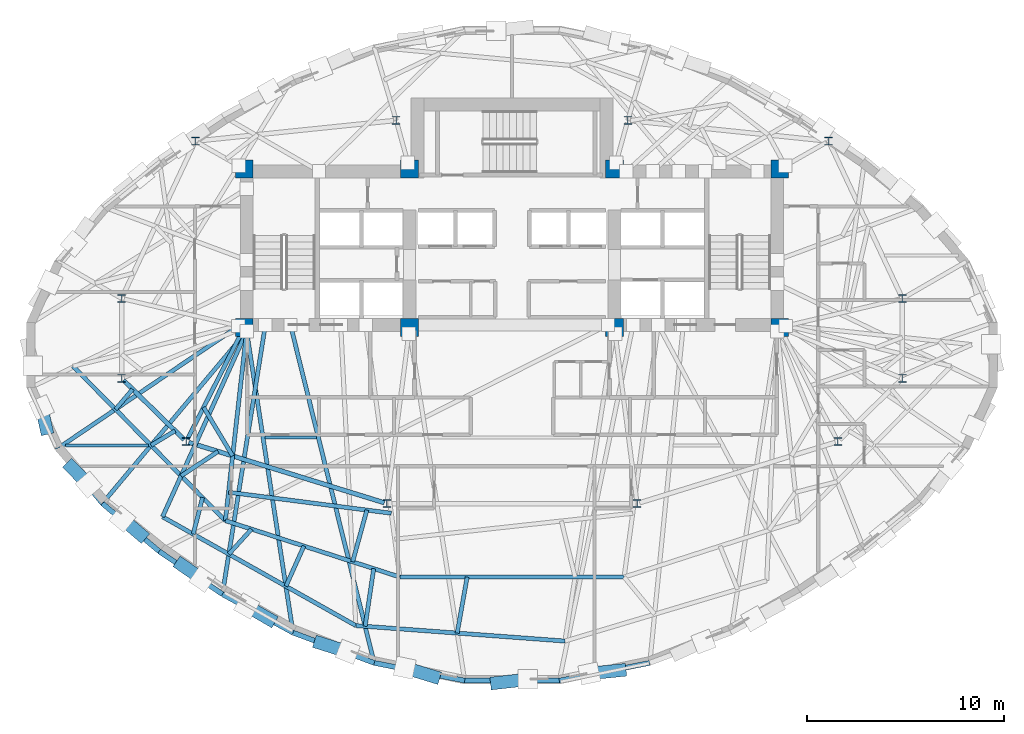
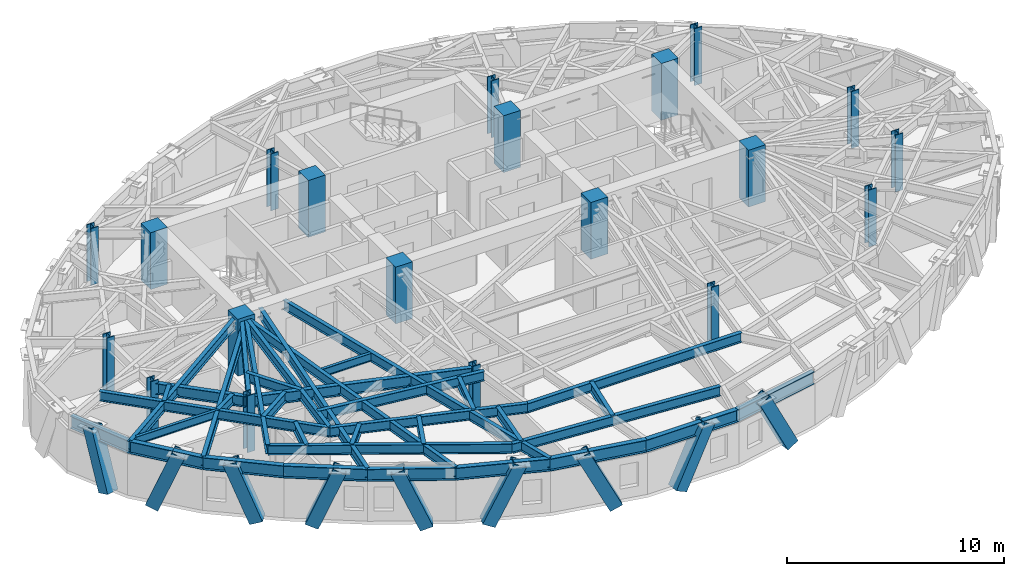
# One storey, part 1 of 14: 37 beams, 20 columns, 9 members.
"""IFC4 building model written with IfcOpenShell, lengths in metres."""

from ifc_helpers import new_model, si_unit, direction, frame, origin, origin_2d, place, context, subcontext, project, spatial, rectangle, hollow_rectangle, i_section, extrude, material, material_profile, profile_set, type_object, element, save


model = new_model("IFC4")

# Units and contexts
model_context = context("Model", 3, precision=1e-05, world=origin(), true_north=direction((0.0, 1.0)))
body_context = subcontext(model_context, "Body", "Model", "MODEL_VIEW")
ifc_project = project(units=[si_unit("LENGTHUNIT", "METRE"), si_unit("AREAUNIT", "SQUARE_METRE"), si_unit("VOLUMEUNIT", "CUBIC_METRE"), si_unit("PLANEANGLEUNIT", "RADIAN"), si_unit("MASSUNIT", "GRAM", prefix="KILO")], contexts=[model_context])

# Site, building, storey
site_placement = place(None, origin())
site = spatial("IfcSite", under=ifc_project, at=site_placement, CompositionType="ELEMENT")
building_placement = place(site_placement, origin())
building = spatial("IfcBuilding", under=site, at=building_placement, Name="Keldmark Tower", CompositionType="ELEMENT")
storey_placement = place(building_placement, frame((0.0, 0.0, 188.60009765625)))
storey = spatial("IfcBuildingStorey", under=building, at=storey_placement, Name="L52", CompositionType="ELEMENT", Elevation=188.60009765625)

# Columns
ifc_material_1 = material(Name="Concrete C50/60", Category="concrete")
ifc_material_profile_1 = material_profile(ifc_material_1, rectangle(XDim=0.89990234375, YDim=0.89990234375, at=origin_2d()), Name="RC900X900")
ifc_profile_set_1 = profile_set([ifc_material_profile_1], Name="Concrete C50/60")
column_type_1 = type_object("IfcColumnType", Name="Core Boundary Column RC900", PredefinedType="COLUMN", material=ifc_profile_set_1)
for number, where, z_axis, x_axis, name in (
    (1, (-13.60009765625, 1.39990234375, 0.0), (0.0, 0.0, 1.0), (1.0, 0.0, 0.0), "L52 Core Boundary Column CC-W1"),
    (2, (-13.60009765625, 9.449951171875, 0.0), (0.0, 0.0, 1.0), (1.0, 0.0, 0.0), "L52 Core Boundary Column CC-W2"),
    (3, (-5.199951171875, 1.39990234375, 0.0), (0.0, 0.0, 1.0), (1.0, 0.0, 0.0), "L52 Core Boundary Column CC-W3"),
    (4, (-5.199951171875, 9.449951171875, 0.0), (0.0, 0.0, 1.0), (1.0, 0.0, 0.0), "L52 Core Boundary Column CC-W4"),
    (5, (5.199951171875, 1.39990234375, 0.0), (0.0, 0.0, 1.0), (1.0, 0.0, 0.0), "L52 Core Boundary Column CC-E1"),
    (6, (5.199951171875, 9.449951171875, 0.0), (0.0, 0.0, 1.0), (1.0, 0.0, 0.0), "L52 Core Boundary Column CC-E2"),
    (7, (13.60009765625, 1.39990234375, 0.0), (0.0, 0.0, 1.0), (1.0, 0.0, 0.0), "L52 Core Boundary Column CC-E3"),
    (8, (13.60009765625, 9.449951171875, 0.0), (0.0, 0.0, 1.0), (1.0, 0.0, 0.0), "L52 Core Boundary Column CC-E4"),
):
    element("IfcColumn", number, at=place(storey_placement, frame(where, z_axis=z_axis, x_axis=x_axis)), inside=storey, type_object=column_type_1, Name=name, PredefinedType="COLUMN", context=body_context, shape_type="SweptSolid", body=[
        extrude(rectangle(XDim=0.89990234375, YDim=0.89990234375, at=origin_2d()), origin(), (0.0, 0.0, 1.0), 3.199951171875),
    ])
ifc_material_2 = material(Name="Steel ASTM A992 Grade 50", Category="steel")
ifc_material_profile_2 = material_profile(ifc_material_2, i_section(OverallWidth=0.404052734375, OverallDepth=0.406982421875, WebThickness=0.027099609375, FlangeThickness=0.043701171875, at=origin_2d()), Name="W14X233")
ifc_profile_set_2 = profile_set([ifc_material_profile_2], Name="Steel ASTM A992 Grade 50")
column_type_2 = type_object("IfcColumnType", Name="Tower Gravity Column W14X233", PredefinedType="COLUMN", material=ifc_profile_set_2)
for number, where, z_axis, x_axis, name in (
    (9, (19.828369140625, 2.869140625, 0.0), (0.0, 0.0, 1.0), (1.0, 0.0, 0.0), "L52 Tower Gravity Column TC-E1"),
    (10, (16.08154296875, 10.861083984375, 0.0), (0.0, 0.0, 1.0), (1.0, 0.0, 0.0), "L52 Tower Gravity Column TC-E4"),
    (11, (5.880126953125, 11.915283203125, 0.0), (0.0, 0.0, 1.0), (1.0, 0.0, 0.0), "L52 Tower Gravity Column TC-N2"),
    (12, (-5.880126953125, 11.915283203125, 0.0), (0.0, 0.0, 1.0), (1.0, 0.0, 0.0), "L52 Tower Gravity Column TC-N1"),
    (13, (-16.08154296875, 10.861083984375, 0.0), (0.0, 0.0, 1.0), (1.0, 0.0, 0.0), "L52 Tower Gravity Column TC-W4"),
    (14, (-19.828369140625, 2.869140625, 0.0), (0.0, 0.0, 1.0), (1.0, 0.0, 0.0), "L52 Tower Gravity Column TC-W1"),
    (15, (-19.828369140625, -1.189208984375, 0.0), (0.0, 0.0, 1.0), (1.0, 0.0, 0.0), "L52 Tower Gravity Column TC-W5"),
    (16, (-16.546630859375, -4.3984375, 0.0), (0.0, 0.0, 1.0), (1.0, 0.0, 0.0), "L52 Tower Gravity Column TC-W2"),
    (17, (-6.351318359375, -7.546142578125, 0.0), (0.0, 0.0, 1.0), (1.0, 0.0, 0.0), "L52 Tower Gravity Column TC-W3"),
    (18, (6.351318359375, -7.546142578125, 0.0), (0.0, 0.0, 1.0), (1.0, 0.0, 0.0), "L52 Tower Gravity Column TC-E3"),
    (19, (16.546630859375, -4.3984375, 0.0), (0.0, 0.0, 1.0), (1.0, 0.0, 0.0), "L52 Tower Gravity Column TC-E2"),
    (20, (19.828369140625, -1.189208984375, 0.0), (0.0, 0.0, 1.0), (1.0, 0.0, 0.0), "L52 Tower Gravity Column TC-E5"),
):
    element("IfcColumn", number, at=place(storey_placement, frame(where, z_axis=z_axis, x_axis=x_axis)), inside=storey, type_object=column_type_2, Name=name, PredefinedType="COLUMN", context=body_context, shape_type="SweptSolid", body=[
        extrude(i_section(OverallWidth=0.404052734375, OverallDepth=0.406982421875, WebThickness=0.027099609375, FlangeThickness=0.043701171875, at=origin_2d()), origin(), (0.0, 0.0, 1.0), 3.199951171875),
    ])

# Beams
ifc_material_3 = material(Name="Steel ASTM A992 Grade 50", Category="steel")
ifc_material_profile_3 = material_profile(ifc_material_3, i_section(OverallWidth=0.153076171875, OverallDepth=0.455078125, WebThickness=0.008056640625, FlangeThickness=0.01318359375, at=origin_2d()), Name="W18X40")
ifc_profile_set_3 = profile_set([ifc_material_profile_3], Name="Steel ASTM A992 Grade 50")
beam_type_1 = type_object("IfcBeamType", Name="Composite Floor Joist W18X40", PredefinedType="JOIST", material=ifc_profile_set_3)
beam_1_placement = place(storey_placement, frame((-22.6796875, -4.60009765625, 2.79248046875), z_axis=(1.0, 0.0, 0.0), x_axis=(0.0, 1.0, 0.0)))
element("IfcBeam", 21, at=beam_1_placement, inside=storey, type_object=beam_type_1, Name="L52 Composite Floor Joist J01", PredefinedType="JOIST", context=body_context, shape_type="SweptSolid", body=[
    extrude(i_section(OverallWidth=0.153076171875, OverallDepth=0.455078125, WebThickness=0.008056640625, FlangeThickness=0.01318359375, at=origin_2d()), origin(), (0.0, 0.0, 1.0), 4.214111328125),
])
beam_2_placement = place(storey_placement, frame((-12.5498046875, -4.179931640625, 2.79248046875), z_axis=(1.0, 0.0, 0.0), x_axis=(0.0, 1.0, 0.0)))
element("IfcBeam", 22, at=beam_2_placement, inside=storey, type_object=beam_type_1, Name="L52 Composite Floor Joist J02", PredefinedType="JOIST", context=body_context, shape_type="SweptSolid", body=[
    extrude(i_section(OverallWidth=0.153076171875, OverallDepth=0.455078125, WebThickness=0.008056640625, FlangeThickness=0.01318359375, at=origin_2d()), origin(), (0.0, 0.0, 1.0), 2.6142578125),
])

# Members
ifc_material_4 = material(Name="Steel ASTM A572 Grade 50", Category="steel")
ifc_material_profile_4 = material_profile(ifc_material_4, hollow_rectangle(XDim=0.64990234375, YDim=0.64990234375, WallThickness=0.0400390625, at=origin_2d()), Name="BOX650X650X40")
ifc_profile_set_4 = profile_set([ifc_material_profile_4], Name="Steel ASTM A572 Grade 50")
member_type = type_object("IfcMemberType", Name="Diagrid Zone 3 Brace BOX650X650X40", PredefinedType="BRACE", material=ifc_profile_set_4)
member_1_placement = place(storey_placement, frame((-23.652587890625, -3.72900390625, -0.260009765625), z_axis=(-0.071621727205, 0.319267903228, 0.944954143946), x_axis=(-0.975749330087, -0.218890942789, 0.0)))
element("IfcMember", 23, at=member_1_placement, inside=storey, type_object=member_type, Name="L52 Perimeter Diagrid Brace 09A", PredefinedType="BRACE", context=body_context, shape_type="SweptSolid", body=[
    extrude(hollow_rectangle(XDim=0.64990234375, YDim=0.64990234375, WallThickness=0.0400390625, at=origin_2d()), origin(), (0.0, 0.0, 1.0), 3.343994140625),
])
member_2_placement = place(storey_placement, frame((-22.389892578125, -5.688720703125, -0.260009765625), z_axis=(0.261277019775, -0.264647873448, 0.928275725212), x_axis=(0.711624282158, 0.702560233036, 0.0)))
element("IfcMember", 24, at=member_2_placement, inside=storey, type_object=member_type, Name="L52 Perimeter Diagrid Brace 09B", PredefinedType="BRACE", context=body_context, shape_type="SweptSolid", body=[
    extrude(hollow_rectangle(XDim=0.64990234375, YDim=0.64990234375, WallThickness=0.0400390625, at=origin_2d()), origin(), (0.0, 0.0, 1.0), 3.404052734375),
])
member_3_placement = place(storey_placement, frame((-18.838623046875, -9.13330078125, -0.260009765625), z_axis=(-0.279745949468, 0.239084365647, 0.929828408826), x_axis=(-0.64969745791, -0.760192878936, 0.0)))
element("IfcMember", 25, at=member_3_placement, inside=storey, type_object=member_type, Name="L52 Perimeter Diagrid Brace 10A", PredefinedType="BRACE", context=body_context, shape_type="SweptSolid", body=[
    extrude(hollow_rectangle(XDim=0.64990234375, YDim=0.64990234375, WallThickness=0.0400390625, at=origin_2d()), origin(), (0.0, 0.0, 1.0), 3.3984375),
])
member_4_placement = place(storey_placement, frame((-16.7890625, -10.649658203125, -0.260009765625), z_axis=(0.309875407308, -0.215431736644, 0.926048810157), x_axis=(0.570825617278, 0.821071321299, 0.0)))
element("IfcMember", 26, at=member_4_placement, inside=storey, type_object=member_type, Name="L52 Perimeter Diagrid Brace 10B", PredefinedType="BRACE", context=body_context, shape_type="SweptSolid", body=[
    extrude(hollow_rectangle(XDim=0.64990234375, YDim=0.64990234375, WallThickness=0.0400390625, at=origin_2d()), origin(), (0.0, 0.0, 1.0), 3.412353515625),
])
member_5_placement = place(storey_placement, frame((-12.29443359375, -13.42919921875, -0.260009765625), z_axis=(-0.342636637572, 0.19626896683, 0.918737518148), x_axis=(-0.497048550318, -0.867722731422, 0.0)))
element("IfcMember", 27, at=member_5_placement, inside=storey, type_object=member_type, Name="L52 Perimeter Diagrid Brace 11A", PredefinedType="BRACE", context=body_context, shape_type="SweptSolid", body=[
    extrude(hollow_rectangle(XDim=0.64990234375, YDim=0.64990234375, WallThickness=0.0400390625, at=origin_2d()), origin(), (0.0, 0.0, 1.0), 3.439453125),
])
member_6_placement = place(storey_placement, frame((-9.755859375, -14.6279296875, -0.260009765625), z_axis=(0.404763242543, -0.127878881329, 0.905435646082), x_axis=(0.301257561083, 0.953542805484, 0.0)))
element("IfcMember", 28, at=member_6_placement, inside=storey, type_object=member_type, Name="L52 Perimeter Diagrid Brace 11B", PredefinedType="BRACE", context=body_context, shape_type="SweptSolid", body=[
    extrude(hollow_rectangle(XDim=0.64990234375, YDim=0.64990234375, WallThickness=0.0400390625, at=origin_2d()), origin(), (0.0, 0.0, 1.0), 3.489990234375),
])
member_7_placement = place(storey_placement, frame((-3.951416015625, -16.338623046875, -0.260009765625), z_axis=(-0.424530632267, 0.129740770526, 0.896069793448), x_axis=(-0.292266082195, -0.956337041633, 0.0)))
element("IfcMember", 29, at=member_7_placement, inside=storey, type_object=member_type, Name="L52 Perimeter Diagrid Brace 12A", PredefinedType="BRACE", context=body_context, shape_type="SweptSolid", body=[
    extrude(hollow_rectangle(XDim=0.64990234375, YDim=0.64990234375, WallThickness=0.0400390625, at=origin_2d()), origin(), (0.0, 0.0, 1.0), 3.5263671875),
])
member_8_placement = place(storey_placement, frame((-0.8037109375, -16.656982421875, -0.260009765625), z_axis=(0.45353285388, 0.050461287668, 0.889809872331), x_axis=(-0.110580342005, 0.993867188291, 0.0)))
element("IfcMember", 30, at=member_8_placement, inside=storey, type_object=member_type, Name="L52 Perimeter Diagrid Brace 12B", PredefinedType="BRACE", context=body_context, shape_type="SweptSolid", body=[
    extrude(hollow_rectangle(XDim=0.64990234375, YDim=0.64990234375, WallThickness=0.0400390625, at=origin_2d()), origin(), (0.0, 0.0, 1.0), 3.55126953125),
])
member_9_placement = place(storey_placement, frame((5.50341796875, -16.015869140625, -0.260009765625), z_axis=(-0.445608318468, -0.045935441293, 0.894048746851), x_axis=(0.102541405992, -0.994728736921, 0.0)))
element("IfcMember", 31, at=member_9_placement, inside=storey, type_object=member_type, Name="L52 Perimeter Diagrid Brace 13A", PredefinedType="BRACE", context=body_context, shape_type="SweptSolid", body=[
    extrude(hollow_rectangle(XDim=0.64990234375, YDim=0.64990234375, WallThickness=0.0400390625, at=origin_2d()), origin(), (0.0, 0.0, 1.0), 3.534423828125),
])

# Beams
ifc_material_5 = material(Name="Steel ASTM A992 Grade 50", Category="steel")
ifc_material_profile_5 = material_profile(ifc_material_5, i_section(OverallWidth=0.22900390625, OverallDepth=0.612060546875, WebThickness=0.011962890625, FlangeThickness=0.01953125, at=origin_2d()), Name="W24X84")
ifc_profile_set_5 = profile_set([ifc_material_profile_5], Name="Steel ASTM A992 Grade 50")
beam_type_2 = type_object("IfcBeamType", Name="Primary Floor Girder W24X84", PredefinedType="BEAM", material=ifc_profile_set_5)
beam_3_placement = place(storey_placement, frame((-19.728271484375, -1.287109375, 2.7138671875), z_axis=(0.714964509815, -0.699160746684, 0.0), x_axis=(0.699160746684, 0.714964509815, 0.0)))
element("IfcBeam", 32, at=beam_3_placement, inside=storey, type_object=beam_type_2, Name="L52 Floor Ring Girder FG-R07", PredefinedType="BEAM", context=body_context, shape_type="SweptSolid", body=[
    extrude(i_section(OverallWidth=0.22900390625, OverallDepth=0.612060546875, WebThickness=0.011962890625, FlangeThickness=0.01953125, at=origin_2d()), origin(), (0.0, 0.0, 1.0), 4.31005859375),
])
beam_4_placement = place(storey_placement, frame((-16.412841796875, -4.439697265625, 2.7138671875), z_axis=(0.955494563145, -0.295008711398, 0.0), x_axis=(0.295008711398, 0.955494563145, 0.0)))
element("IfcBeam", 33, at=beam_4_placement, inside=storey, type_object=beam_type_2, Name="L52 Floor Ring Girder FG-R08", PredefinedType="BEAM", context=body_context, shape_type="SweptSolid", body=[
    extrude(i_section(OverallWidth=0.22900390625, OverallDepth=0.612060546875, WebThickness=0.011962890625, FlangeThickness=0.01953125, at=origin_2d()), origin(), (0.0, 0.0, 1.0), 10.39013671875),
])
ifc_material_6 = material(Name="Steel ASTM A992 Grade 50", Category="steel")
ifc_material_profile_6 = material_profile(ifc_material_6, i_section(OverallWidth=0.2099609375, OverallDepth=0.537109375, WebThickness=0.010986328125, FlangeThickness=0.017333984375, at=origin_2d()), Name="W21X68")
ifc_profile_set_6 = profile_set([ifc_material_profile_6], Name="Steel ASTM A992 Grade 50")
beam_type_3 = type_object("IfcBeamType", Name="Radial Tie Girder W21X68", PredefinedType="BEAM", material=ifc_profile_set_6)
beam_5_placement = place(storey_placement, frame((-16.4833984375, -4.273681640625, 2.75146484375), z_axis=(0.453036691775, 0.891491870914, 0.0), x_axis=(-0.891491870914, 0.453036691775, 0.0)))
element("IfcBeam", 34, at=beam_5_placement, inside=storey, type_object=beam_type_3, Name="L52 Floor Radial Girder FG-C08", PredefinedType="BEAM", context=body_context, shape_type="SweptSolid", body=[
    extrude(i_section(OverallWidth=0.2099609375, OverallDepth=0.537109375, WebThickness=0.010986328125, FlangeThickness=0.017333984375, at=origin_2d()), origin(), (0.0, 0.0, 1.0), 6.044189453125),
])
beam_6_placement = place(storey_placement, frame((-15.661865234375, -2.6572265625, 2.75146484375), z_axis=(0.512709839373, -0.858561949197, 0.0), x_axis=(0.858561949197, 0.512709839373, 0.0)))
element("IfcBeam", 35, at=beam_6_placement, inside=storey, type_object=beam_type_3, Name="L52 Framing Pin Header PH-002", PredefinedType="BEAM", context=body_context, shape_type="SweptSolid", body=[
    extrude(i_section(OverallWidth=0.2099609375, OverallDepth=0.537109375, WebThickness=0.010986328125, FlangeThickness=0.017333984375, at=origin_2d()), origin(), (0.0, 0.0, 1.0), 2.87646484375),
])
beam_7_placement = place(storey_placement, frame((-13.47509765625, 1.199951171875, 2.75146484375), z_axis=(-0.111816266203, -0.993728897946, 0.0), x_axis=(0.993728897946, -0.111816266203, 0.0)))
element("IfcBeam", 36, at=beam_7_placement, inside=storey, type_object=beam_type_3, Name="L52 Sub-Ring Step Girder STP1-M08", PredefinedType="BEAM", context=body_context, shape_type="SweptSolid", body=[
    extrude(i_section(OverallWidth=0.2099609375, OverallDepth=0.537109375, WebThickness=0.010986328125, FlangeThickness=0.017333984375, at=origin_2d()), origin(), (0.0, 0.0, 1.0), 9.6748046875),
])
beam_8_placement = place(storey_placement, frame((-14.394775390625, -6.971923828125, 2.75146484375), z_axis=(0.991789380207, -0.127882075793, 0.0), x_axis=(0.127882075793, 0.991789380207, 0.0)))
element("IfcBeam", 37, at=beam_8_placement, inside=storey, type_object=beam_type_3, Name="L52 Framing Pin Header PH-003", PredefinedType="BEAM", context=body_context, shape_type="SweptSolid", body=[
    extrude(i_section(OverallWidth=0.2099609375, OverallDepth=0.537109375, WebThickness=0.010986328125, FlangeThickness=0.017333984375, at=origin_2d()), origin(), (0.0, 0.0, 1.0), 8.331298828125),
])
beam_9_placement = place(storey_placement, frame((-22.293701171875, -0.573486328125, 2.75146484375), z_axis=(0.702381218091, -0.711800972515, 0.0), x_axis=(0.711800972515, 0.702381218091, 0.0)))
element("IfcBeam", 38, at=beam_9_placement, inside=storey, type_object=beam_type_3, Name="L52 Perimeter Collector Ring Beam CRG1-M07", PredefinedType="BEAM", context=body_context, shape_type="SweptSolid", body=[
    extrude(i_section(OverallWidth=0.2099609375, OverallDepth=0.537109375, WebThickness=0.010986328125, FlangeThickness=0.017333984375, at=origin_2d()), origin(), (0.0, 0.0, 1.0), 11.01513671875),
])
beam_10_placement = place(storey_placement, frame((-14.556884765625, -8.4140625, 2.75146484375), z_axis=(0.951534558733, -0.307541840302, 0.0), x_axis=(0.307541840302, 0.951534558733, 0.0)))
element("IfcBeam", 39, at=beam_10_placement, inside=storey, type_object=beam_type_3, Name="L52 Perimeter Collector Ring Beam CRG1-M08", PredefinedType="BEAM", context=body_context, shape_type="SweptSolid", body=[
    extrude(i_section(OverallWidth=0.2099609375, OverallDepth=0.537109375, WebThickness=0.010986328125, FlangeThickness=0.017333984375, at=origin_2d()), origin(), (0.0, 0.0, 1.0), 9.31494140625),
])
beam_11_placement = place(storey_placement, frame((-5.693359375, -11.27880859375, 2.75146484375), z_axis=(1.0, 0.0, 0.0), x_axis=(0.0, 1.0, 0.0)))
element("IfcBeam", 40, at=beam_11_placement, inside=storey, type_object=beam_type_3, Name="L52 Perimeter Collector Ring Beam CRG1-M09", PredefinedType="BEAM", context=body_context, shape_type="SweptSolid", body=[
    extrude(i_section(OverallWidth=0.2099609375, OverallDepth=0.537109375, WebThickness=0.010986328125, FlangeThickness=0.017333984375, at=origin_2d()), origin(), (0.0, 0.0, 1.0), 11.38671875),
])
beam_12_placement = place(storey_placement, frame((-14.923583984375, -4.8994140625, 2.75146484375), z_axis=(-0.835240118726, -0.54988539176, 0.0), x_axis=(0.54988539176, -0.835240118726, 0.0)))
element("IfcBeam", 41, at=beam_12_placement, inside=storey, type_object=beam_type_3, Name="L52 Framing Pin Header PH-007", PredefinedType="BEAM", context=body_context, shape_type="SweptSolid", body=[
    extrude(i_section(OverallWidth=0.2099609375, OverallDepth=0.537109375, WebThickness=0.010986328125, FlangeThickness=0.017333984375, at=origin_2d()), origin(), (0.0, 0.0, 1.0), 2.2509765625),
])
beam_13_placement = place(storey_placement, frame((-13.47509765625, 1.199951171875, 2.75146484375), z_axis=(-0.413167919073, -0.910654858137, 0.0), x_axis=(0.910654858137, -0.413167919073, 0.0)))
element("IfcBeam", 42, at=beam_13_placement, inside=storey, type_object=beam_type_3, Name="L52 Sub-Ring Step Girder STP2-M08", PredefinedType="BEAM", context=body_context, shape_type="SweptSolid", body=[
    extrude(i_section(OverallWidth=0.2099609375, OverallDepth=0.537109375, WebThickness=0.010986328125, FlangeThickness=0.017333984375, at=origin_2d()), origin(), (0.0, 0.0, 1.0), 10.342529296875),
])
beam_14_placement = place(storey_placement, frame((-7.37109375, -7.87744140625, 2.75146484375), z_axis=(-0.265187738324, -0.964196797051, 0.0), x_axis=(0.964196797051, -0.265187738324, 0.0)))
element("IfcBeam", 43, at=beam_14_placement, inside=storey, type_object=beam_type_3, Name="L52 Framing Pin Header PH-008", PredefinedType="BEAM", context=body_context, shape_type="SweptSolid", body=[
    extrude(i_section(OverallWidth=0.2099609375, OverallDepth=0.537109375, WebThickness=0.010986328125, FlangeThickness=0.017333984375, at=origin_2d()), origin(), (0.0, 0.0, 1.0), 2.72314453125),
])
beam_15_placement = place(storey_placement, frame((-17.748291015625, -8.218505859375, 2.75146484375), z_axis=(0.871474245093, -0.490441270836, 0.0), x_axis=(0.490441270836, 0.871474245093, 0.0)))
element("IfcBeam", 44, at=beam_15_placement, inside=storey, type_object=beam_type_3, Name="L52 Perimeter Collector Ring Beam CRG2-M08", PredefinedType="BEAM", context=body_context, shape_type="SweptSolid", body=[
    extrude(i_section(OverallWidth=0.2099609375, OverallDepth=0.537109375, WebThickness=0.010986328125, FlangeThickness=0.017333984375, at=origin_2d()), origin(), (0.0, 0.0, 1.0), 11.2666015625),
])
beam_16_placement = place(storey_placement, frame((-7.9296875, -13.744140625, 2.75146484375), z_axis=(0.997279506521, -0.073712860979, 0.0), x_axis=(0.073712860979, 0.997279506521, 0.0)))
element("IfcBeam", 45, at=beam_16_placement, inside=storey, type_object=beam_type_3, Name="L52 Perimeter Collector Ring Beam CRG2-M09", PredefinedType="BEAM", context=body_context, shape_type="SweptSolid", body=[
    extrude(i_section(OverallWidth=0.2099609375, OverallDepth=0.537109375, WebThickness=0.010986328125, FlangeThickness=0.017333984375, at=origin_2d()), origin(), (0.0, 0.0, 1.0), 10.64501953125),
])
beam_17_placement = place(storey_placement, frame((-19.26611328125, -1.739013671875, 2.75146484375), z_axis=(-0.648239882684, -0.761436178874, 0.0), x_axis=(0.761436178874, -0.648239882684, 0.0)))
element("IfcBeam", 46, at=beam_17_placement, inside=storey, type_object=beam_type_3, Name="L52 Framing Pin Header PH-021", PredefinedType="BEAM", context=body_context, shape_type="SweptSolid", body=[
    extrude(i_section(OverallWidth=0.2099609375, OverallDepth=0.537109375, WebThickness=0.010986328125, FlangeThickness=0.017333984375, at=origin_2d()), origin(), (0.0, 0.0, 1.0), 1.341552734375),
])
beam_18_placement = place(storey_placement, frame((-13.800048828125, 1.52490234375, 2.75146484375), z_axis=(-0.828315577865, -0.560261816891, 0.0), x_axis=(0.560261816891, -0.828315577865, 0.0)))
element("IfcBeam", 47, at=beam_18_placement, inside=storey, type_object=beam_type_3, Name="L52 Perimeter Radial Tie Girder RT-18", PredefinedType="BEAM", context=body_context, shape_type="SweptSolid", body=[
    extrude(i_section(OverallWidth=0.2099609375, OverallDepth=0.537109375, WebThickness=0.010986328125, FlangeThickness=0.017333984375, at=origin_2d()), origin(), (0.0, 0.0, 1.0), 11.18896484375),
])
beam_19_placement = place(storey_placement, frame((-17.10888671875, -3.8486328125, 2.75146484375), z_axis=(-0.854828118469, -0.518911252407, 0.0), x_axis=(0.518911252407, -0.854828118469, 0.0)))
element("IfcBeam", 48, at=beam_19_placement, inside=storey, type_object=beam_type_3, Name="L52 Framing Pin Header PH-022", PredefinedType="BEAM", context=body_context, shape_type="SweptSolid", body=[
    extrude(i_section(OverallWidth=0.2099609375, OverallDepth=0.537109375, WebThickness=0.010986328125, FlangeThickness=0.017333984375, at=origin_2d()), origin(), (0.0, 0.0, 1.0), 1.428955078125),
])
beam_20_placement = place(storey_placement, frame((-13.47509765625, 1.199951171875, 2.75146484375), z_axis=(-0.642560774117, -0.766234723545, 0.0), x_axis=(0.766234723545, -0.642560774117, 0.0)))
element("IfcBeam", 49, at=beam_20_placement, inside=storey, type_object=beam_type_3, Name="L52 Perimeter Radial Tie Girder RT-19", PredefinedType="BEAM", context=body_context, shape_type="SweptSolid", body=[
    extrude(i_section(OverallWidth=0.2099609375, OverallDepth=0.537109375, WebThickness=0.010986328125, FlangeThickness=0.017333984375, at=origin_2d()), origin(), (0.0, 0.0, 1.0), 11.404296875),
])
beam_21_placement = place(storey_placement, frame((-15.717529296875, -7.238037109375, 2.75146484375), z_axis=(-0.245261290721, -0.969457012597, 0.0), x_axis=(0.969457012597, -0.245261290721, 0.0)))
element("IfcBeam", 50, at=beam_21_placement, inside=storey, type_object=beam_type_3, Name="L52 Framing Pin Header PH-023", PredefinedType="BEAM", context=body_context, shape_type="SweptSolid", body=[
    extrude(i_section(OverallWidth=0.2099609375, OverallDepth=0.537109375, WebThickness=0.010986328125, FlangeThickness=0.017333984375, at=origin_2d()), origin(), (0.0, 0.0, 1.0), 1.917236328125),
])
beam_22_placement = place(storey_placement, frame((-13.2275390625, -8.84375, 2.75146484375), z_axis=(-0.67287815157, -0.739753332631, 0.0), x_axis=(0.739753332631, -0.67287815157, 0.0)))
element("IfcBeam", 51, at=beam_22_placement, inside=storey, type_object=beam_type_3, Name="L52 Framing Pin Header PH-024", PredefinedType="BEAM", context=body_context, shape_type="SweptSolid", body=[
    extrude(i_section(OverallWidth=0.2099609375, OverallDepth=0.537109375, WebThickness=0.010986328125, FlangeThickness=0.017333984375, at=origin_2d()), origin(), (0.0, 0.0, 1.0), 1.7158203125),
])
beam_23_placement = place(storey_placement, frame((-12.52490234375, 1.52490234375, 2.75146484375), z_axis=(-0.157570335332, -0.987507766766, 0.0), x_axis=(0.987507766766, -0.157570335332, 0.0)))
element("IfcBeam", 52, at=beam_23_placement, inside=storey, type_object=beam_type_3, Name="L52 Perimeter Radial Tie Girder RT-21", PredefinedType="BEAM", context=body_context, shape_type="SweptSolid", body=[
    extrude(i_section(OverallWidth=0.2099609375, OverallDepth=0.537109375, WebThickness=0.010986328125, FlangeThickness=0.017333984375, at=origin_2d()), origin(), (0.0, 0.0, 1.0), 13.84716796875),
])
beam_24_placement = place(storey_placement, frame((-10.568359375, -9.703125, 2.75146484375), z_axis=(-0.408607746028, -0.912710090821, 0.0), x_axis=(0.912710090821, -0.408607746028, 0.0)))
element("IfcBeam", 53, at=beam_24_placement, inside=storey, type_object=beam_type_3, Name="L52 Framing Pin Header PH-025", PredefinedType="BEAM", context=body_context, shape_type="SweptSolid", body=[
    extrude(i_section(OverallWidth=0.2099609375, OverallDepth=0.537109375, WebThickness=0.010986328125, FlangeThickness=0.017333984375, at=origin_2d()), origin(), (0.0, 0.0, 1.0), 2.237060546875),
])
beam_25_placement = place(storey_placement, frame((-13.47509765625, 1.199951171875, 2.75146484375), z_axis=(0.152143678814, -0.988358386921, 0.0), x_axis=(0.988358386921, 0.152143678814, 0.0)))
element("IfcBeam", 54, at=beam_25_placement, inside=storey, type_object=beam_type_3, Name="L52 Perimeter Radial Tie Girder RT-22", PredefinedType="BEAM", context=body_context, shape_type="SweptSolid", body=[
    extrude(i_section(OverallWidth=0.2099609375, OverallDepth=0.537109375, WebThickness=0.010986328125, FlangeThickness=0.017333984375, at=origin_2d()), origin(), (0.0, 0.0, 1.0), 15.4833984375),
])
beam_26_placement = place(storey_placement, frame((-7.02294921875, -10.84912109375, 2.75146484375), z_axis=(-0.147038520756, -0.989130766589, 0.0), x_axis=(0.989130766589, -0.147038520756, 0.0)))
element("IfcBeam", 55, at=beam_26_placement, inside=storey, type_object=beam_type_3, Name="L52 Framing Pin Header PH-026", PredefinedType="BEAM", context=body_context, shape_type="SweptSolid", body=[
    extrude(i_section(OverallWidth=0.2099609375, OverallDepth=0.537109375, WebThickness=0.010986328125, FlangeThickness=0.017333984375, at=origin_2d()), origin(), (0.0, 0.0, 1.0), 2.962158203125),
])
beam_27_placement = place(storey_placement, frame((-11.25, 1.52490234375, 2.75146484375), z_axis=(0.240485193948, -0.970652806874, 0.0), x_axis=(0.970652806874, 0.240485193948, 0.0)))
element("IfcBeam", 56, at=beam_27_placement, inside=storey, type_object=beam_type_3, Name="L52 Perimeter Radial Tie Girder RT-23", PredefinedType="BEAM", context=body_context, shape_type="SweptSolid", body=[
    extrude(i_section(OverallWidth=0.2099609375, OverallDepth=0.537109375, WebThickness=0.010986328125, FlangeThickness=0.017333984375, at=origin_2d()), origin(), (0.0, 0.0, 1.0), 17.682861328125),
])
beam_28_placement = place(storey_placement, frame((-2.27734375, -11.27880859375, 2.75146484375), z_axis=(-0.175018778132, -0.984565095512, 0.0), x_axis=(0.984565095512, -0.175018778132, 0.0)))
element("IfcBeam", 57, at=beam_28_placement, inside=storey, type_object=beam_type_3, Name="L52 Framing Pin Header PH-027", PredefinedType="BEAM", context=body_context, shape_type="SweptSolid", body=[
    extrude(i_section(OverallWidth=0.2099609375, OverallDepth=0.537109375, WebThickness=0.010986328125, FlangeThickness=0.017333984375, at=origin_2d()), origin(), (0.0, 0.0, 1.0), 2.890380859375),
])
ifc_material_7 = material(Name="Steel ASTM A992 Grade 50", Category="steel")
ifc_material_profile_7 = material_profile(ifc_material_7, i_section(OverallWidth=0.256103515625, OverallDepth=0.693115234375, WebThickness=0.014404296875, FlangeThickness=0.023681640625, at=origin_2d()), Name="W27X114")
ifc_profile_set_7 = profile_set([ifc_material_profile_7], Name="Steel ASTM A992 Grade 50")
beam_type_4 = type_object("IfcBeamType", Name="Spandrel Ring Beam W27X114", PredefinedType="SPANDREL", material=ifc_profile_set_7)
beam_29_placement = place(storey_placement, frame((-24.3935546875, -1.62890625, 2.67333984375), z_axis=(0.391533077768, -0.920164033753, 0.0), x_axis=(0.920164033753, 0.391533077768, 0.0)))
element("IfcBeam", 58, at=beam_29_placement, inside=storey, type_object=beam_type_4, Name="L52 Perimeter Spandrel Ring Beam SRB-17", PredefinedType="SPANDREL", context=body_context, shape_type="SweptSolid", body=[
    extrude(i_section(OverallWidth=0.256103515625, OverallDepth=0.693115234375, WebThickness=0.014404296875, FlangeThickness=0.023681640625, at=origin_2d()), origin(), (0.0, 0.0, 1.0), 3.38525390625),
])
beam_30_placement = place(storey_placement, frame((-23.068115234375, -4.743896484375, 2.67333984375), z_axis=(0.629697919329, -0.776840093193, 0.0), x_axis=(0.776840093193, 0.629697919329, 0.0)))
element("IfcBeam", 59, at=beam_30_placement, inside=storey, type_object=beam_type_4, Name="L52 Perimeter Spandrel Ring Beam SRB-18", PredefinedType="SPANDREL", context=body_context, shape_type="SweptSolid", body=[
    extrude(i_section(OverallWidth=0.256103515625, OverallDepth=0.693115234375, WebThickness=0.014404296875, FlangeThickness=0.023681640625, at=origin_2d()), origin(), (0.0, 0.0, 1.0), 3.59716796875),
])
beam_31_placement = place(storey_placement, frame((-20.802978515625, -7.538330078125, 2.67333984375), z_axis=(0.764296468588, -0.64486503092, 0.0), x_axis=(0.64486503092, 0.764296468588, 0.0)))
element("IfcBeam", 60, at=beam_31_placement, inside=storey, type_object=beam_type_4, Name="L52 Perimeter Spandrel Ring Beam SRB-19", PredefinedType="SPANDREL", context=body_context, shape_type="SweptSolid", body=[
    extrude(i_section(OverallWidth=0.256103515625, OverallDepth=0.693115234375, WebThickness=0.014404296875, FlangeThickness=0.023681640625, at=origin_2d()), origin(), (0.0, 0.0, 1.0), 3.771484375),
])
beam_32_placement = place(storey_placement, frame((-17.92041015625, -9.970458984375, 2.67333984375), z_axis=(0.827710478333, -0.561155383168, 0.0), x_axis=(0.561155383168, 0.827710478333, 0.0)))
element("IfcBeam", 61, at=beam_32_placement, inside=storey, type_object=beam_type_4, Name="L52 Perimeter Spandrel Ring Beam SRB-20", PredefinedType="SPANDREL", context=body_context, shape_type="SweptSolid", body=[
    extrude(i_section(OverallWidth=0.256103515625, OverallDepth=0.693115234375, WebThickness=0.014404296875, FlangeThickness=0.023681640625, at=origin_2d()), origin(), (0.0, 0.0, 1.0), 3.882568359375),
])
beam_33_placement = place(storey_placement, frame((-14.706787109375, -12.149169921875, 2.67333984375), z_axis=(0.878169505213, -0.478349579402, 0.0), x_axis=(0.478349579402, 0.878169505213, 0.0)))
element("IfcBeam", 62, at=beam_33_placement, inside=storey, type_object=beam_type_4, Name="L52 Perimeter Spandrel Ring Beam SRB-21", PredefinedType="SPANDREL", context=body_context, shape_type="SweptSolid", body=[
    extrude(i_section(OverallWidth=0.256103515625, OverallDepth=0.693115234375, WebThickness=0.014404296875, FlangeThickness=0.023681640625, at=origin_2d()), origin(), (0.0, 0.0, 1.0), 4.085205078125),
])
beam_34_placement = place(storey_placement, frame((-11.119384765625, -14.103271484375, 2.67333984375), z_axis=(0.937077486277, -0.34912144694, 0.0), x_axis=(0.34912144694, 0.937077486277, 0.0)))
element("IfcBeam", 63, at=beam_34_placement, inside=storey, type_object=beam_type_4, Name="L52 Perimeter Spandrel Ring Beam SRB-22", PredefinedType="SPANDREL", context=body_context, shape_type="SweptSolid", body=[
    extrude(i_section(OverallWidth=0.256103515625, OverallDepth=0.693115234375, WebThickness=0.014404296875, FlangeThickness=0.023681640625, at=origin_2d()), origin(), (0.0, 0.0, 1.0), 4.398681640625),
])
beam_35_placement = place(storey_placement, frame((-6.99755859375, -15.638916015625, 2.67333984375), z_axis=(0.981406109785, -0.191942823979, 0.0), x_axis=(0.191942823979, 0.981406109785, 0.0)))
element("IfcBeam", 64, at=beam_35_placement, inside=storey, type_object=beam_type_4, Name="L52 Perimeter Spandrel Ring Beam SRB-23", PredefinedType="SPANDREL", context=body_context, shape_type="SweptSolid", body=[
    extrude(i_section(OverallWidth=0.256103515625, OverallDepth=0.693115234375, WebThickness=0.014404296875, FlangeThickness=0.023681640625, at=origin_2d()), origin(), (0.0, 0.0, 1.0), 4.68212890625),
])
beam_36_placement = place(storey_placement, frame((-2.402587890625, -16.53759765625, 2.67333984375), z_axis=(1.0, 0.0, 0.0), x_axis=(0.0, 1.0, 0.0)))
element("IfcBeam", 65, at=beam_36_placement, inside=storey, type_object=beam_type_4, Name="L52 Perimeter Spandrel Ring Beam SRB-24", PredefinedType="SPANDREL", context=body_context, shape_type="SweptSolid", body=[
    extrude(i_section(OverallWidth=0.256103515625, OverallDepth=0.693115234375, WebThickness=0.014404296875, FlangeThickness=0.023681640625, at=origin_2d()), origin(), (0.0, 0.0, 1.0), 4.80517578125),
])
beam_37_placement = place(storey_placement, frame((2.402587890625, -16.53759765625, 2.67333984375), z_axis=(0.981406109785, 0.191942823979, 0.0), x_axis=(-0.191942823979, 0.981406109785, 0.0)))
element("IfcBeam", 66, at=beam_37_placement, inside=storey, type_object=beam_type_4, Name="L52 Perimeter Spandrel Ring Beam SRB-25", PredefinedType="SPANDREL", context=body_context, shape_type="SweptSolid", body=[
    extrude(i_section(OverallWidth=0.256103515625, OverallDepth=0.693115234375, WebThickness=0.014404296875, FlangeThickness=0.023681640625, at=origin_2d()), origin(), (0.0, 0.0, 1.0), 4.68212890625),
])

save(model, "model.ifc")
